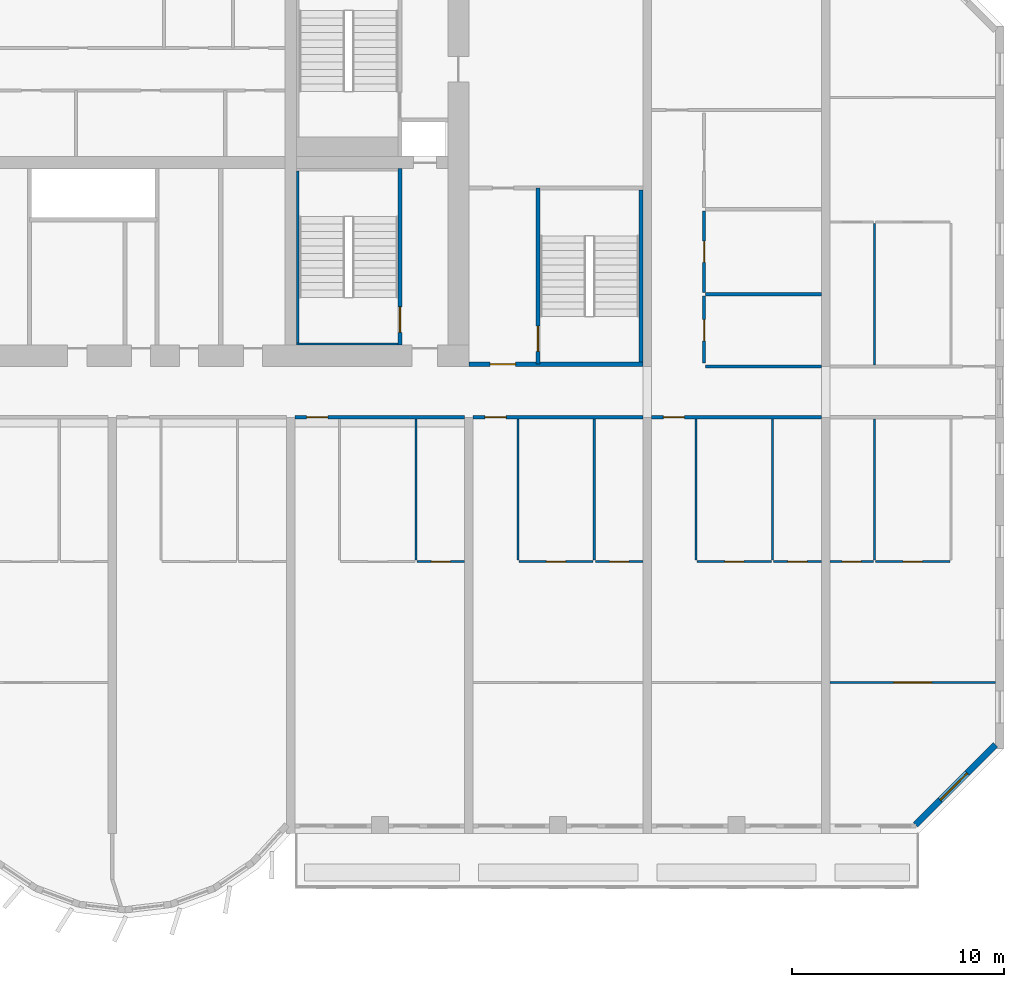
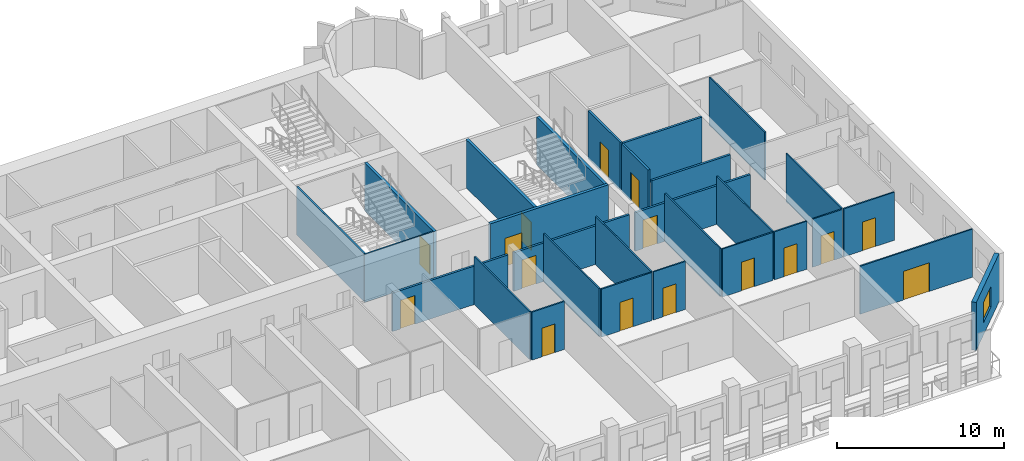
# One storey, part 9 of 15: 29 walls, 16 doors, 1 window, 17 openings.
"""IFC4 building model written with IfcOpenShell, lengths in metres."""

from ifc_helpers import new_model, si_unit, direction, frame, frame_2d, origin, place, context, subcontext, project, spatial, rectangle, extrude, source, transform, mapped, material, layer, layer_set, type_object, element, fill, save


model = new_model("IFC4")

# Units and contexts
model_context = context("Model", 3, precision=1e-05, world=origin(), true_north=direction((0.0, 1.0)))
body_context = subcontext(model_context, "Body", "Model", "MODEL_VIEW")
ifc_project = project(units=[si_unit("LENGTHUNIT", "METRE"), si_unit("AREAUNIT", "SQUARE_METRE"), si_unit("VOLUMEUNIT", "CUBIC_METRE"), si_unit("PLANEANGLEUNIT", "RADIAN"), si_unit("MASSUNIT", "GRAM", prefix="KILO")], contexts=[model_context])

# Site, building, storey
site_placement = place(None, origin())
site = spatial("IfcSite", under=ifc_project, at=site_placement, CompositionType="ELEMENT")
building_placement = place(site_placement, origin())
building = spatial("IfcBuilding", under=site, at=building_placement, Name="Vanashikhar Sky Hotel", CompositionType="ELEMENT")
storey_placement = place(building_placement, frame((0.0, 0.0, 65.800048828125)))
storey = spatial("IfcBuildingStorey", under=building, at=storey_placement, Name="L15", CompositionType="ELEMENT", Elevation=65.800048828125)

# Wall, opening, window
ifc_material_1 = material(Name="Concrete M50", Category="concrete")
ifc_layer_1 = layer(ifc_material_1, 0.300048828125)
ifc_layer_set_1 = layer_set([ifc_layer_1], Name="Lobe wall 300")
wall_type_1 = type_object("IfcWallType", Name="Lobe wall 300", PredefinedType="SOLIDWALL", material=ifc_layer_set_1)
shared_shape_1 = source(origin(), body_context, "Body", "SweptSolid", [
    extrude(rectangle(XDim=5.32568359375, YDim=0.300048828125, at=frame_2d((2.662841796875, 0.0))), origin(), (0.0, 0.0, 1.0), 3.52001953125),
])
wall_1_placement = place(storey_placement, frame((96.63427734375, 0.39990234375, 0.0), z_axis=(0.0, 0.0, 1.0), x_axis=(0.707083859269, 0.707129702361, 0.0)))
wall_1 = element("IfcWall", 1, at=wall_1_placement, inside=storey, type_object=wall_type_1, Name="Corner wall", PredefinedType="SOLIDWALL", context=body_context, shape_type="MappedRepresentation", body=[
    mapped(shared_shape_1, transform((0.0, 0.0, 0.0), scale=1.0)),
])
shared_shape_2 = source(origin(), body_context, "Body", "SweptSolid", [
    extrude(rectangle(XDim=1.800048828125, YDim=1.5, at=frame_2d((0.89990234375, 0.75))), frame((0.0, 0.16015625, 0.0), z_axis=(0.0, -1.0, 0.0), x_axis=(1.0, 0.0, 0.0)), (0.0, 0.0, 1.0), 0.320068359375),
])
opening_1_placement = place(wall_1_placement, frame((1.654296875, 0.0, 0.89990234375)))
opening_1 = element("IfcOpeningElement", 2, at=opening_1_placement, cuts=wall_1, Name="Opening WN-4", PredefinedType="OPENING", context=body_context, shape_type="MappedRepresentation", body=[
    mapped(shared_shape_2, transform((0.0, 0.0, 0.0), scale=1.0)),
])
ifc_material_2 = material(Name="Glass", Category="glass")
window_type = type_object("IfcWindowType", Name="Corner window 1800 x 1500", PartitioningType="SINGLE_PANEL", PredefinedType="WINDOW", material=ifc_material_2)
shared_shape_3 = source(origin(), body_context, "Body", "SweptSolid", [
    extrude(rectangle(XDim=1.800048828125, YDim=1.5, at=frame_2d((0.89990234375, 0.75))), frame((0.0, 0.030029296875, 0.0), z_axis=(0.0, -1.0, 0.0), x_axis=(1.0, 0.0, 0.0)), (0.0, 0.0, 1.0), 0.06005859375),
])
window_placement = place(opening_1_placement, origin())
window = element("IfcWindow", 3, at=window_placement, inside=storey, type_object=window_type, Name="Window WN-4", OverallHeight=1.5, OverallWidth=1.800048828125, PartitioningType="SINGLE_PANEL", PredefinedType="WINDOW", context=body_context, shape_type="MappedRepresentation", body=[
    mapped(shared_shape_3, transform((0.0, 0.0, 0.0), scale=1.0)),
])
fill(opening_1, window)

# Wall, opening, door
ifc_layer_2 = layer(ifc_material_1, 0.199951171875)
ifc_layer_set_2 = layer_set([ifc_layer_2], Name="Stair wall 200")
wall_type_2 = type_object("IfcWallType", Name="Stair wall 200", PredefinedType="SOLIDWALL", material=ifc_layer_set_2)
shared_shape_4 = source(origin(), body_context, "Body", "SweptSolid", [
    extrude(rectangle(XDim=8.199951171875, YDim=0.199951171875, at=frame_2d((4.10009765625, 0.0))), origin(), (0.0, 0.0, 1.0), 3.52001953125),
])
wall_2_placement = place(storey_placement, frame((83.800048828125, 22.10009765625, 0.0), z_axis=(0.0, 0.0, 1.0), x_axis=(-1.0, 0.0, 0.0)))
wall_2 = element("IfcWall", 4, at=wall_2_placement, inside=storey, type_object=wall_type_2, Name="Stair wall 200", PredefinedType="SOLIDWALL", context=body_context, shape_type="MappedRepresentation", body=[
    mapped(shared_shape_4, transform((0.0, 0.0, 0.0), scale=1.0)),
])
shared_shape_5 = source(origin(), body_context, "Body", "SweptSolid", [
    extrude(rectangle(XDim=1.199951171875, YDim=2.10009765625, at=frame_2d((0.60009765625, 1.050048828125))), frame((0.0, 0.10986328125, 0.0), z_axis=(0.0, -1.0, 0.0), x_axis=(1.0, 0.0, 0.0)), (0.0, 0.0, 1.0), 0.219970703125),
])
opening_2_placement = place(wall_2_placement, frame((6.0, 0.0, 0.0)))
opening_2 = element("IfcOpeningElement", 5, at=opening_2_placement, cuts=wall_2, Name="Opening DC-2", PredefinedType="OPENING", context=body_context, shape_type="MappedRepresentation", body=[
    mapped(shared_shape_5, transform((0.0, 0.0, 0.0), scale=1.0)),
])
ifc_material_3 = material(Name="Steel", Category="steel")
door_type_1 = type_object("IfcDoorType", Name="Firefighting lobby door 1200 FD120", OperationType="NOTDEFINED", PredefinedType="DOOR", material=ifc_material_3)
shared_shape_6 = source(origin(), body_context, "Body", "SweptSolid", [
    extrude(rectangle(XDim=1.199951171875, YDim=2.10009765625, at=frame_2d((0.60009765625, 1.050048828125))), frame((0.0, 0.02490234375, 0.0), z_axis=(0.0, -1.0, 0.0), x_axis=(1.0, 0.0, 0.0)), (0.0, 0.0, 1.0), 0.050048828125),
])
door_1_placement = place(opening_2_placement, origin())
door_1 = element("IfcDoor", 6, at=door_1_placement, inside=storey, type_object=door_type_1, Name="Firefighting lobby door 1200 FD120", OperationType="SINGLE_SWING_RIGHT", OverallHeight=2.10009765625, OverallWidth=1.199951171875, PredefinedType="DOOR", context=body_context, shape_type="MappedRepresentation", body=[
    mapped(shared_shape_6, transform((0.0, 0.0, 0.0), scale=1.0)),
])
fill(opening_2, door_1)

shared_shape_7 = source(origin(), body_context, "Body", "SweptSolid", [
    extrude(rectangle(XDim=8.2998046875, YDim=0.199951171875, at=frame_2d((4.14990234375, 0.0))), origin(), (0.0, 0.0, 1.0), 3.52001953125),
])
wall_3_placement = place(storey_placement, frame((78.85009765625, 22.10009765625, 0.0), z_axis=(0.0, 0.0, 1.0), x_axis=(0.0, 1.0, 0.0)))
wall_3 = element("IfcWall", 7, at=wall_3_placement, inside=storey, type_object=wall_type_2, Name="Stair wall 200", PredefinedType="SOLIDWALL", context=body_context, shape_type="MappedRepresentation", body=[
    mapped(shared_shape_7, transform((0.0, 0.0, 0.0), scale=1.0)),
])
opening_3_placement = place(wall_3_placement, frame((0.60009765625, 0.0, 0.0)))
opening_3 = element("IfcOpeningElement", 8, at=opening_3_placement, cuts=wall_3, Name="Opening DC-1", PredefinedType="OPENING", context=body_context, shape_type="MappedRepresentation", body=[
    mapped(shared_shape_5, transform((0.0, 0.0, 0.0), scale=1.0)),
])
door_type_2 = type_object("IfcDoorType", Name="Stair door 1200 FD120", OperationType="NOTDEFINED", PredefinedType="DOOR", material=ifc_material_3)
door_2_placement = place(opening_3_placement, origin())
door_2 = element("IfcDoor", 9, at=door_2_placement, inside=storey, type_object=door_type_2, Name="Stair door 1200 FD120", OperationType="SINGLE_SWING_LEFT", OverallHeight=2.10009765625, OverallWidth=1.199951171875, PredefinedType="DOOR", context=body_context, shape_type="MappedRepresentation", body=[
    mapped(shared_shape_6, transform((0.0, 0.0, 0.0), scale=1.0)),
])
fill(opening_3, door_2)

shared_shape_8 = source(origin(), body_context, "Body", "SweptSolid", [
    extrude(rectangle(XDim=8.324951171875, YDim=0.199951171875, at=frame_2d((4.16259765625, 0.0))), origin(), (0.0, 0.0, 1.0), 3.52001953125),
])
wall_4_placement = place(storey_placement, frame((72.35009765625, 23.0, 0.0), z_axis=(0.0, 0.0, 1.0), x_axis=(0.0, 1.0, 0.0)))
wall_4 = element("IfcWall", 10, at=wall_4_placement, inside=storey, type_object=wall_type_2, Name="Stair wall 200", PredefinedType="SOLIDWALL", context=body_context, shape_type="MappedRepresentation", body=[
    mapped(shared_shape_8, transform((0.0, 0.0, 0.0), scale=1.0)),
])
opening_4_placement = place(wall_4_placement, frame((0.60009765625, 0.0, 0.0)))
opening_4 = element("IfcOpeningElement", 11, at=opening_4_placement, cuts=wall_4, Name="Opening DC-1", PredefinedType="OPENING", context=body_context, shape_type="MappedRepresentation", body=[
    mapped(shared_shape_5, transform((0.0, 0.0, 0.0), scale=1.0)),
])
door_3_placement = place(opening_4_placement, origin())
door_3 = element("IfcDoor", 12, at=door_3_placement, inside=storey, type_object=door_type_2, Name="Stair door 1200 FD120", OperationType="SINGLE_SWING_RIGHT", OverallHeight=2.10009765625, OverallWidth=1.199951171875, PredefinedType="DOOR", context=body_context, shape_type="MappedRepresentation", body=[
    mapped(shared_shape_6, transform((0.0, 0.0, 0.0), scale=1.0)),
])
fill(opening_4, door_3)

# Walls
ifc_layer_3 = layer(ifc_material_1, 0.10009765625)
ifc_layer_set_3 = layer_set([ifc_layer_3], Name="Stair infill wall 100")
wall_type_3 = type_object("IfcWallType", Name="Stair infill wall 100", PredefinedType="SOLIDWALL", material=ifc_layer_set_3)
shared_shape_9 = source(origin(), body_context, "Body", "SweptSolid", [
    extrude(rectangle(XDim=4.77490234375, YDim=0.10009765625, at=frame_2d((2.387451171875, 0.0))), origin(), (0.0, 0.0, 1.0), 3.52001953125),
])
wall_5_placement = place(storey_placement, frame((67.47509765625, 23.050048828125, 0.0), z_axis=(0.0, 0.0, 1.0), x_axis=(1.0, 0.0, 0.0)))
element("IfcWall", 13, at=wall_5_placement, inside=storey, type_object=wall_type_3, Name="Stair infill wall 100", PredefinedType="SOLIDWALL", context=body_context, shape_type="MappedRepresentation", body=[
    mapped(shared_shape_9, transform((0.0, 0.0, 0.0), scale=1.0)),
])
ifc_layer_4 = layer(ifc_material_1, 0.125)
ifc_layer_set_4 = layer_set([ifc_layer_4], Name="Stair infill wall 125")
wall_type_4 = type_object("IfcWallType", Name="Stair infill wall 125", PredefinedType="SOLIDWALL", material=ifc_layer_set_4)
shared_shape_10 = source(origin(), body_context, "Body", "SweptSolid", [
    extrude(rectangle(XDim=8.099853515625, YDim=0.125, at=frame_2d((4.0498046875, 0.0))), origin(), (0.0, 0.0, 1.0), 3.52001953125),
])
wall_6_placement = place(storey_placement, frame((67.537109375, 23.10009765625, 0.0), z_axis=(0.0, 0.0, 1.0), x_axis=(0.0, 1.0, 0.0)))
element("IfcWall", 14, at=wall_6_placement, inside=storey, type_object=wall_type_4, Name="Stair infill wall 125", PredefinedType="SOLIDWALL", context=body_context, shape_type="MappedRepresentation", body=[
    mapped(shared_shape_10, transform((0.0, 0.0, 0.0), scale=1.0)),
])
ifc_layer_5 = layer(ifc_material_1, 0.199951171875)
ifc_layer_set_5 = layer_set([ifc_layer_5], Name="Stair infill wall 200")
wall_type_5 = type_object("IfcWallType", Name="Stair infill wall 200", PredefinedType="SOLIDWALL", material=ifc_layer_set_5)
shared_shape_11 = source(origin(), body_context, "Body", "SweptSolid", [
    extrude(rectangle(XDim=8.10009765625, YDim=0.199951171875, at=frame_2d((4.050048828125, 0.0))), origin(), (0.0, 0.0, 1.0), 3.52001953125),
])
wall_7_placement = place(storey_placement, frame((83.699951171875, 22.199951171875, 0.0), z_axis=(0.0, 0.0, 1.0), x_axis=(0.0, 1.0, 0.0)))
element("IfcWall", 15, at=wall_7_placement, inside=storey, type_object=wall_type_5, Name="Stair infill wall 200", PredefinedType="SOLIDWALL", context=body_context, shape_type="MappedRepresentation", body=[
    mapped(shared_shape_11, transform((0.0, 0.0, 0.0), scale=1.0)),
])

# Wall, opening, door
ifc_material_4 = material(Name="Gypsum plasterboard partition")
ifc_layer_6 = layer(ifc_material_4, 0.10009765625)
ifc_layer_set_6 = layer_set([ifc_layer_6], Name="Wet room partition 100")
wall_type_6 = type_object("IfcWallType", Name="Wet room partition 100", PredefinedType="PARTITIONING", material=ifc_layer_set_6)
shared_shape_12 = source(origin(), body_context, "Body", "SweptSolid", [
    extrude(rectangle(XDim=2.0498046875, YDim=0.10009765625, at=frame_2d((1.02490234375, 0.0))), origin(), (0.0, 0.0, 1.0), 3.52001953125),
])
wall_8_placement = place(storey_placement, frame((92.60009765625, 12.800048828125, 0.0), z_axis=(0.0, 0.0, 1.0), x_axis=(1.0, 0.0, 0.0)))
wall_8 = element("IfcWall", 16, at=wall_8_placement, inside=storey, type_object=wall_type_6, Name="W-L15-PW065", PredefinedType="PARTITIONING", context=body_context, shape_type="MappedRepresentation", body=[
    mapped(shared_shape_12, transform((0.0, 0.0, 0.0), scale=1.0)),
])
shared_shape_13 = source(origin(), body_context, "Body", "SweptSolid", [
    extrude(rectangle(XDim=0.89990234375, YDim=2.10009765625, at=frame_2d((0.449951171875, 1.050048828125))), frame((0.0, 0.06005859375, 0.0), z_axis=(0.0, -1.0, 0.0), x_axis=(1.0, 0.0, 0.0)), (0.0, 0.0, 1.0), 0.1201171875),
])
opening_5_placement = place(wall_8_placement, frame((0.574951171875, 0.0, 0.0)))
opening_5 = element("IfcOpeningElement", 17, at=opening_5_placement, cuts=wall_8, Name="Opening D-02", PredefinedType="OPENING", context=body_context, shape_type="MappedRepresentation", body=[
    mapped(shared_shape_13, transform((0.0, 0.0, 0.0), scale=1.0)),
])
ifc_material_5 = material(Name="Timber door", Category="wood")
door_type_3 = type_object("IfcDoorType", Name="Internal door 900", OperationType="NOTDEFINED", PredefinedType="DOOR", material=ifc_material_5)
shared_shape_14 = source(origin(), body_context, "Body", "SweptSolid", [
    extrude(rectangle(XDim=0.89990234375, YDim=2.10009765625, at=frame_2d((0.449951171875, 1.050048828125))), frame((0.0, 0.02490234375, 0.0), z_axis=(0.0, -1.0, 0.0), x_axis=(1.0, 0.0, 0.0)), (0.0, 0.0, 1.0), 0.050048828125),
])
door_4_placement = place(opening_5_placement, origin())
door_4 = element("IfcDoor", 18, at=door_4_placement, inside=storey, type_object=door_type_3, Name="D-L15-040", OperationType="SINGLE_SWING_RIGHT", OverallHeight=2.10009765625, OverallWidth=0.89990234375, PredefinedType="DOOR", context=body_context, shape_type="MappedRepresentation", body=[
    mapped(shared_shape_14, transform((0.0, 0.0, 0.0), scale=1.0)),
])
fill(opening_5, door_4)

shared_shape_15 = source(origin(), body_context, "Body", "SweptSolid", [
    extrude(rectangle(XDim=3.5, YDim=0.10009765625, at=frame_2d((1.75, 0.0))), origin(), (0.0, 0.0, 1.0), 3.52001953125),
])
wall_9_placement = place(storey_placement, frame((77.949951171875, 12.800048828125, 0.0), z_axis=(0.0, 0.0, 1.0), x_axis=(1.0, 0.0, 0.0)))
wall_9 = element("IfcWall", 19, at=wall_9_placement, inside=storey, type_object=wall_type_6, Name="W-L15-PW052", PredefinedType="PARTITIONING", context=body_context, shape_type="MappedRepresentation", body=[
    mapped(shared_shape_15, transform((0.0, 0.0, 0.0), scale=1.0)),
])
opening_6_placement = place(wall_9_placement, frame((1.300048828125, 0.0, 0.0)))
opening_6 = element("IfcOpeningElement", 20, at=opening_6_placement, cuts=wall_9, Name="Opening D-02", PredefinedType="OPENING", context=body_context, shape_type="MappedRepresentation", body=[
    mapped(shared_shape_13, transform((0.0, 0.0, 0.0), scale=1.0)),
])
door_5_placement = place(opening_6_placement, origin())
door_5 = element("IfcDoor", 21, at=door_5_placement, inside=storey, type_object=door_type_3, Name="D-L15-031", OperationType="SINGLE_SWING_LEFT", OverallHeight=2.10009765625, OverallWidth=0.89990234375, PredefinedType="DOOR", context=body_context, shape_type="MappedRepresentation", body=[
    mapped(shared_shape_14, transform((0.0, 0.0, 0.0), scale=1.0)),
])
fill(opening_6, door_5)

wall_10_placement = place(storey_placement, frame((86.35009765625, 12.800048828125, 0.0), z_axis=(0.0, 0.0, 1.0), x_axis=(1.0, 0.0, 0.0)))
wall_10 = element("IfcWall", 22, at=wall_10_placement, inside=storey, type_object=wall_type_6, Name="W-L15-PW058", PredefinedType="PARTITIONING", context=body_context, shape_type="MappedRepresentation", body=[
    mapped(shared_shape_15, transform((0.0, 0.0, 0.0), scale=1.0)),
])
opening_7_placement = place(wall_10_placement, frame((1.300048828125, 0.0, 0.0)))
opening_7 = element("IfcOpeningElement", 23, at=opening_7_placement, cuts=wall_10, Name="Opening D-02", PredefinedType="OPENING", context=body_context, shape_type="MappedRepresentation", body=[
    mapped(shared_shape_13, transform((0.0, 0.0, 0.0), scale=1.0)),
])
door_6_placement = place(opening_7_placement, origin())
door_6 = element("IfcDoor", 24, at=door_6_placement, inside=storey, type_object=door_type_3, Name="D-L15-035", OperationType="SINGLE_SWING_LEFT", OverallHeight=2.10009765625, OverallWidth=0.89990234375, PredefinedType="DOOR", context=body_context, shape_type="MappedRepresentation", body=[
    mapped(shared_shape_14, transform((0.0, 0.0, 0.0), scale=1.0)),
])
fill(opening_7, door_6)

wall_11_placement = place(storey_placement, frame((94.75, 12.800048828125, 0.0), z_axis=(0.0, 0.0, 1.0), x_axis=(1.0, 0.0, 0.0)))
wall_11 = element("IfcWall", 25, at=wall_11_placement, inside=storey, type_object=wall_type_6, Name="W-L15-PW064", PredefinedType="PARTITIONING", context=body_context, shape_type="MappedRepresentation", body=[
    mapped(shared_shape_15, transform((0.0, 0.0, 0.0), scale=1.0)),
])
opening_8_placement = place(wall_11_placement, frame((1.300048828125, 0.0, 0.0)))
opening_8 = element("IfcOpeningElement", 26, at=opening_8_placement, cuts=wall_11, Name="Opening D-02", PredefinedType="OPENING", context=body_context, shape_type="MappedRepresentation", body=[
    mapped(shared_shape_13, transform((0.0, 0.0, 0.0), scale=1.0)),
])
door_7_placement = place(opening_8_placement, origin())
door_7 = element("IfcDoor", 27, at=door_7_placement, inside=storey, type_object=door_type_3, Name="D-L15-039", OperationType="SINGLE_SWING_RIGHT", OverallHeight=2.10009765625, OverallWidth=0.89990234375, PredefinedType="DOOR", context=body_context, shape_type="MappedRepresentation", body=[
    mapped(shared_shape_14, transform((0.0, 0.0, 0.0), scale=1.0)),
])
fill(opening_8, door_7)

ifc_layer_7 = layer(ifc_material_4, 0.14990234375)
ifc_layer_set_7 = layer_set([ifc_layer_7], Name="Corridor and demising partition 150")
wall_type_7 = type_object("IfcWallType", Name="Corridor and demising partition 150", PredefinedType="PARTITIONING", material=ifc_layer_set_7)
shared_shape_16 = source(origin(), body_context, "Body", "SweptSolid", [
    extrude(rectangle(XDim=3.175048828125, YDim=0.14990234375, at=frame_2d((1.58740234375, 0.0))), origin(), (0.0, 0.0, 1.0), 3.52001953125),
])
wall_12_placement = place(storey_placement, frame((86.675048828125, 22.14990234375, 0.0), z_axis=(0.0, 0.0, 1.0), x_axis=(0.0, 1.0, 0.0)))
wall_12 = element("IfcWall", 28, at=wall_12_placement, inside=storey, type_object=wall_type_7, Name="W-L15-PW084", PredefinedType="PARTITIONING", context=body_context, shape_type="MappedRepresentation", body=[
    mapped(shared_shape_16, transform((0.0, 0.0, 0.0), scale=1.0)),
])
shared_shape_17 = source(origin(), body_context, "Body", "SweptSolid", [
    extrude(rectangle(XDim=1.0, YDim=2.10009765625, at=frame_2d((0.5, 1.050048828125))), frame((0.0, 0.0849609375, 0.0), z_axis=(0.0, -1.0, 0.0), x_axis=(1.0, 0.0, 0.0)), (0.0, 0.0, 1.0), 0.169921875),
])
opening_9_placement = place(wall_12_placement, frame((1.050048828125, 0.0, 0.0)))
opening_9 = element("IfcOpeningElement", 29, at=opening_9_placement, cuts=wall_12, Name="Opening D-01", PredefinedType="OPENING", context=body_context, shape_type="MappedRepresentation", body=[
    mapped(shared_shape_17, transform((0.0, 0.0, 0.0), scale=1.0)),
])
ifc_material_6 = material(Name="Timber fire door", Category="wood")
door_type_4 = type_object("IfcDoorType", Name="Guest entry door 1000 FD30S", OperationType="NOTDEFINED", PredefinedType="DOOR", material=ifc_material_6)
shared_shape_18 = source(origin(), body_context, "Body", "SweptSolid", [
    extrude(rectangle(XDim=1.0, YDim=2.10009765625, at=frame_2d((0.5, 1.050048828125))), frame((0.0, 0.02490234375, 0.0), z_axis=(0.0, -1.0, 0.0), x_axis=(1.0, 0.0, 0.0)), (0.0, 0.0, 1.0), 0.050048828125),
])
door_8_placement = place(opening_9_placement, origin())
door_8 = element("IfcDoor", 30, at=door_8_placement, inside=storey, type_object=door_type_4, Name="D-L15-051", OperationType="SINGLE_SWING_LEFT", OverallHeight=2.10009765625, OverallWidth=1.0, PredefinedType="DOOR", context=body_context, shape_type="MappedRepresentation", body=[
    mapped(shared_shape_18, transform((0.0, 0.0, 0.0), scale=1.0)),
])
fill(opening_9, door_8)

shared_shape_19 = source(origin(), body_context, "Body", "SweptSolid", [
    extrude(rectangle(XDim=3.849853515625, YDim=0.14990234375, at=frame_2d((1.9248046875, 0.0))), origin(), (0.0, 0.0, 1.0), 3.52001953125),
])
wall_13_placement = place(storey_placement, frame((86.675048828125, 25.47509765625, 0.0), z_axis=(0.0, 0.0, 1.0), x_axis=(0.0, 1.0, 0.0)))
wall_13 = element("IfcWall", 31, at=wall_13_placement, inside=storey, type_object=wall_type_7, Name="W-L15-PW086", PredefinedType="PARTITIONING", context=body_context, shape_type="MappedRepresentation", body=[
    mapped(shared_shape_19, transform((0.0, 0.0, 0.0), scale=1.0)),
])
opening_10_placement = place(wall_13_placement, frame((1.425048828125, 0.0, 0.0)))
opening_10 = element("IfcOpeningElement", 32, at=opening_10_placement, cuts=wall_13, Name="Opening D-01", PredefinedType="OPENING", context=body_context, shape_type="MappedRepresentation", body=[
    mapped(shared_shape_17, transform((0.0, 0.0, 0.0), scale=1.0)),
])
door_9_placement = place(opening_10_placement, origin())
door_9 = element("IfcDoor", 33, at=door_9_placement, inside=storey, type_object=door_type_4, Name="D-L15-052", OperationType="SINGLE_SWING_LEFT", OverallHeight=2.10009765625, OverallWidth=1.0, PredefinedType="DOOR", context=body_context, shape_type="MappedRepresentation", body=[
    mapped(shared_shape_18, transform((0.0, 0.0, 0.0), scale=1.0)),
])
fill(opening_10, door_9)

shared_shape_20 = source(origin(), body_context, "Body", "SweptSolid", [
    extrude(rectangle(XDim=8.0, YDim=0.14990234375, at=frame_2d((4.0, 0.0))), origin(), (0.0, 0.0, 1.0), 2.820068359375),
])
wall_14_placement = place(storey_placement, frame((67.39990234375, 19.60009765625, 0.0), z_axis=(0.0, 0.0, 1.0), x_axis=(1.0, 0.0, 0.0)))
wall_14 = element("IfcWall", 34, at=wall_14_placement, inside=storey, type_object=wall_type_7, Name="W-L15-PW049", PredefinedType="PARTITIONING", context=body_context, shape_type="MappedRepresentation", body=[
    mapped(shared_shape_20, transform((0.0, 0.0, 0.0), scale=1.0)),
])
opening_11_placement = place(wall_14_placement, frame((0.550048828125, 0.0, 0.0)))
opening_11 = element("IfcOpeningElement", 35, at=opening_11_placement, cuts=wall_14, Name="Opening D-01", PredefinedType="OPENING", context=body_context, shape_type="MappedRepresentation", body=[
    mapped(shared_shape_17, transform((0.0, 0.0, 0.0), scale=1.0)),
])
door_10_placement = place(opening_11_placement, origin())
door_10 = element("IfcDoor", 36, at=door_10_placement, inside=storey, type_object=door_type_4, Name="D-L15-030", OperationType="SINGLE_SWING_LEFT", OverallHeight=2.10009765625, OverallWidth=1.0, PredefinedType="DOOR", context=body_context, shape_type="MappedRepresentation", body=[
    mapped(shared_shape_18, transform((0.0, 0.0, 0.0), scale=1.0)),
])
fill(opening_11, door_10)

wall_15_placement = place(storey_placement, frame((75.800048828125, 19.60009765625, 0.0), z_axis=(0.0, 0.0, 1.0), x_axis=(1.0, 0.0, 0.0)))
wall_15 = element("IfcWall", 37, at=wall_15_placement, inside=storey, type_object=wall_type_7, Name="W-L15-PW055", PredefinedType="PARTITIONING", context=body_context, shape_type="MappedRepresentation", body=[
    mapped(shared_shape_20, transform((0.0, 0.0, 0.0), scale=1.0)),
])
opening_12_placement = place(wall_15_placement, frame((0.550048828125, 0.0, 0.0)))
opening_12 = element("IfcOpeningElement", 38, at=opening_12_placement, cuts=wall_15, Name="Opening D-01", PredefinedType="OPENING", context=body_context, shape_type="MappedRepresentation", body=[
    mapped(shared_shape_17, transform((0.0, 0.0, 0.0), scale=1.0)),
])
door_11_placement = place(opening_12_placement, origin())
door_11 = element("IfcDoor", 39, at=door_11_placement, inside=storey, type_object=door_type_4, Name="D-L15-034", OperationType="SINGLE_SWING_LEFT", OverallHeight=2.10009765625, OverallWidth=1.0, PredefinedType="DOOR", context=body_context, shape_type="MappedRepresentation", body=[
    mapped(shared_shape_18, transform((0.0, 0.0, 0.0), scale=1.0)),
])
fill(opening_12, door_11)

wall_16_placement = place(storey_placement, frame((84.199951171875, 19.60009765625, 0.0), z_axis=(0.0, 0.0, 1.0), x_axis=(1.0, 0.0, 0.0)))
wall_16 = element("IfcWall", 40, at=wall_16_placement, inside=storey, type_object=wall_type_7, Name="W-L15-PW061", PredefinedType="PARTITIONING", context=body_context, shape_type="MappedRepresentation", body=[
    mapped(shared_shape_20, transform((0.0, 0.0, 0.0), scale=1.0)),
])
opening_13_placement = place(wall_16_placement, frame((0.550048828125, 0.0, 0.0)))
opening_13 = element("IfcOpeningElement", 41, at=opening_13_placement, cuts=wall_16, Name="Opening D-01", PredefinedType="OPENING", context=body_context, shape_type="MappedRepresentation", body=[
    mapped(shared_shape_17, transform((0.0, 0.0, 0.0), scale=1.0)),
])
door_12_placement = place(opening_13_placement, origin())
door_12 = element("IfcDoor", 42, at=door_12_placement, inside=storey, type_object=door_type_4, Name="D-L15-038", OperationType="SINGLE_SWING_LEFT", OverallHeight=2.10009765625, OverallWidth=1.0, PredefinedType="DOOR", context=body_context, shape_type="MappedRepresentation", body=[
    mapped(shared_shape_18, transform((0.0, 0.0, 0.0), scale=1.0)),
])
fill(opening_13, door_12)

# Walls
shared_shape_21 = source(origin(), body_context, "Body", "SweptSolid", [
    extrude(rectangle(XDim=5.449951171875, YDim=0.14990234375, at=frame_2d((2.72509765625, 0.0))), origin(), (0.0, 0.0, 1.0), 2.820068359375),
])
wall_17_placement = place(storey_placement, frame((86.75, 22.0, 0.0), z_axis=(0.0, 0.0, 1.0), x_axis=(1.0, 0.0, 0.0)))
element("IfcWall", 43, at=wall_17_placement, inside=storey, type_object=wall_type_7, Name="W-L15-PW083", PredefinedType="PARTITIONING", context=body_context, shape_type="MappedRepresentation", body=[
    mapped(shared_shape_21, transform((0.0, 0.0, 0.0), scale=1.0)),
])
shared_shape_22 = source(origin(), body_context, "Body", "SweptSolid", [
    extrude(rectangle(XDim=5.449951171875, YDim=0.14990234375, at=frame_2d((2.72509765625, 0.0))), origin(), (0.0, 0.0, 1.0), 3.52001953125),
])
wall_18_placement = place(storey_placement, frame((86.75, 25.39990234375, 0.0), z_axis=(0.0, 0.0, 1.0), x_axis=(1.0, 0.0, 0.0)))
element("IfcWall", 44, at=wall_18_placement, inside=storey, type_object=wall_type_7, Name="W-L15-PW085", PredefinedType="PARTITIONING", context=body_context, shape_type="MappedRepresentation", body=[
    mapped(shared_shape_22, transform((0.0, 0.0, 0.0), scale=1.0)),
])
shared_shape_23 = source(origin(), body_context, "Body", "SweptSolid", [
    extrude(rectangle(XDim=6.64990234375, YDim=0.10009765625, at=frame_2d((3.324951171875, 0.0))), origin(), (0.0, 0.0, 1.0), 3.52001953125),
])
for number, where, z_axis, x_axis, name in (
    (45, (73.10009765625, 12.875, 0.0), (0.0, 0.0, 1.0), (0.0, 1.0, 0.0), "W-L15-PW046"),
    (46, (77.89990234375, 12.875, 0.0), (0.0, 0.0, 1.0), (0.0, 1.0, 0.0), "W-L15-PW050"),
    (47, (81.5, 12.875, 0.0), (0.0, 0.0, 1.0), (0.0, 1.0, 0.0), "W-L15-PW051"),
    (48, (86.300048828125, 12.875, 0.0), (0.0, 0.0, 1.0), (0.0, 1.0, 0.0), "W-L15-PW056"),
    (49, (89.89990234375, 12.875, 0.0), (0.0, 0.0, 1.0), (0.0, 1.0, 0.0), "W-L15-PW057"),
    (50, (94.699951171875, 12.875, 0.0), (0.0, 0.0, 1.0), (0.0, 1.0, 0.0), "W-L15-PW063"),
):
    element("IfcWall", number, at=place(storey_placement, frame(where, z_axis=z_axis, x_axis=x_axis)), inside=storey, type_object=wall_type_6, Name=name, PredefinedType="PARTITIONING", context=body_context, shape_type="MappedRepresentation", body=[
        mapped(shared_shape_23, transform((0.0, 0.0, 0.0), scale=1.0)),
    ])

# Wall, opening, door
shared_shape_24 = source(origin(), body_context, "Body", "SweptSolid", [
    extrude(rectangle(XDim=2.25, YDim=0.10009765625, at=frame_2d((1.125, 0.0))), origin(), (0.0, 0.0, 1.0), 3.52001953125),
])
wall_19_placement = place(storey_placement, frame((73.14990234375, 12.800048828125, 0.0), z_axis=(0.0, 0.0, 1.0), x_axis=(1.0, 0.0, 0.0)))
wall_19 = element("IfcWall", 51, at=wall_19_placement, inside=storey, type_object=wall_type_6, Name="W-L15-PW048", PredefinedType="PARTITIONING", context=body_context, shape_type="MappedRepresentation", body=[
    mapped(shared_shape_24, transform((0.0, 0.0, 0.0), scale=1.0)),
])
opening_14_placement = place(wall_19_placement, frame((0.675048828125, 0.0, 0.0)))
opening_14 = element("IfcOpeningElement", 52, at=opening_14_placement, cuts=wall_19, Name="Opening D-02", PredefinedType="OPENING", context=body_context, shape_type="MappedRepresentation", body=[
    mapped(shared_shape_13, transform((0.0, 0.0, 0.0), scale=1.0)),
])
door_13_placement = place(opening_14_placement, origin())
door_13 = element("IfcDoor", 53, at=door_13_placement, inside=storey, type_object=door_type_3, Name="D-L15-029", OperationType="SINGLE_SWING_LEFT", OverallHeight=2.10009765625, OverallWidth=0.89990234375, PredefinedType="DOOR", context=body_context, shape_type="MappedRepresentation", body=[
    mapped(shared_shape_14, transform((0.0, 0.0, 0.0), scale=1.0)),
])
fill(opening_14, door_13)

wall_20_placement = place(storey_placement, frame((81.550048828125, 12.800048828125, 0.0), z_axis=(0.0, 0.0, 1.0), x_axis=(1.0, 0.0, 0.0)))
wall_20 = element("IfcWall", 54, at=wall_20_placement, inside=storey, type_object=wall_type_6, Name="W-L15-PW053", PredefinedType="PARTITIONING", context=body_context, shape_type="MappedRepresentation", body=[
    mapped(shared_shape_24, transform((0.0, 0.0, 0.0), scale=1.0)),
])
opening_15_placement = place(wall_20_placement, frame((0.675048828125, 0.0, 0.0)))
opening_15 = element("IfcOpeningElement", 55, at=opening_15_placement, cuts=wall_20, Name="Opening D-02", PredefinedType="OPENING", context=body_context, shape_type="MappedRepresentation", body=[
    mapped(shared_shape_13, transform((0.0, 0.0, 0.0), scale=1.0)),
])
door_14_placement = place(opening_15_placement, origin())
door_14 = element("IfcDoor", 56, at=door_14_placement, inside=storey, type_object=door_type_3, Name="D-L15-032", OperationType="SINGLE_SWING_LEFT", OverallHeight=2.10009765625, OverallWidth=0.89990234375, PredefinedType="DOOR", context=body_context, shape_type="MappedRepresentation", body=[
    mapped(shared_shape_14, transform((0.0, 0.0, 0.0), scale=1.0)),
])
fill(opening_15, door_14)

wall_21_placement = place(storey_placement, frame((89.949951171875, 12.800048828125, 0.0), z_axis=(0.0, 0.0, 1.0), x_axis=(1.0, 0.0, 0.0)))
wall_21 = element("IfcWall", 57, at=wall_21_placement, inside=storey, type_object=wall_type_6, Name="W-L15-PW059", PredefinedType="PARTITIONING", context=body_context, shape_type="MappedRepresentation", body=[
    mapped(shared_shape_24, transform((0.0, 0.0, 0.0), scale=1.0)),
])
opening_16_placement = place(wall_21_placement, frame((0.675048828125, 0.0, 0.0)))
opening_16 = element("IfcOpeningElement", 58, at=opening_16_placement, cuts=wall_21, Name="Opening D-02", PredefinedType="OPENING", context=body_context, shape_type="MappedRepresentation", body=[
    mapped(shared_shape_13, transform((0.0, 0.0, 0.0), scale=1.0)),
])
door_15_placement = place(opening_16_placement, origin())
door_15 = element("IfcDoor", 59, at=door_15_placement, inside=storey, type_object=door_type_3, Name="D-L15-036", OperationType="SINGLE_SWING_LEFT", OverallHeight=2.10009765625, OverallWidth=0.89990234375, PredefinedType="DOOR", context=body_context, shape_type="MappedRepresentation", body=[
    mapped(shared_shape_14, transform((0.0, 0.0, 0.0), scale=1.0)),
])
fill(opening_16, door_15)

shared_shape_25 = source(origin(), body_context, "Body", "SweptSolid", [
    extrude(rectangle(XDim=7.7998046875, YDim=0.10009765625, at=frame_2d((3.89990234375, 0.0))), origin(), (0.0, 0.0, 1.0), 3.52001953125),
])
wall_22_placement = place(storey_placement, frame((92.60009765625, 7.10791015625, 0.0), z_axis=(0.0, 0.0, 1.0), x_axis=(1.0, 0.0, 0.0)))
wall_22 = element("IfcWall", 60, at=wall_22_placement, inside=storey, type_object=wall_type_6, Name="W-L15-PW066", PredefinedType="PARTITIONING", context=body_context, shape_type="MappedRepresentation", body=[
    mapped(shared_shape_25, transform((0.0, 0.0, 0.0), scale=1.0)),
])
shared_shape_26 = source(origin(), body_context, "Body", "SweptSolid", [
    extrude(rectangle(XDim=1.800048828125, YDim=2.10009765625, at=frame_2d((0.89990234375, 1.050048828125))), frame((0.0, 0.06005859375, 0.0), z_axis=(0.0, -1.0, 0.0), x_axis=(1.0, 0.0, 0.0)), (0.0, 0.0, 1.0), 0.1201171875),
])
opening_17_placement = place(wall_22_placement, frame((3.0, 0.0, 0.0)))
opening_17 = element("IfcOpeningElement", 61, at=opening_17_placement, cuts=wall_22, Name="Opening D-08", PredefinedType="OPENING", context=body_context, shape_type="MappedRepresentation", body=[
    mapped(shared_shape_26, transform((0.0, 0.0, 0.0), scale=1.0)),
])
door_type_5 = type_object("IfcDoorType", Name="Double leaf door 1800", OperationType="NOTDEFINED", PredefinedType="DOOR", material=ifc_material_5)
shared_shape_27 = source(origin(), body_context, "Body", "SweptSolid", [
    extrude(rectangle(XDim=1.800048828125, YDim=2.10009765625, at=frame_2d((0.89990234375, 1.050048828125))), frame((0.0, 0.02490234375, 0.0), z_axis=(0.0, -1.0, 0.0), x_axis=(1.0, 0.0, 0.0)), (0.0, 0.0, 1.0), 0.050048828125),
])
door_16_placement = place(opening_17_placement, origin())
door_16 = element("IfcDoor", 62, at=door_16_placement, inside=storey, type_object=door_type_5, Name="D-L15-041", OperationType="DOUBLE_DOOR_SINGLE_SWING", OverallHeight=2.10009765625, OverallWidth=1.800048828125, PredefinedType="DOOR", context=body_context, shape_type="MappedRepresentation", body=[
    mapped(shared_shape_27, transform((0.0, 0.0, 0.0), scale=1.0)),
])
fill(opening_17, door_16)

# Wall
shared_shape_28 = source(origin(), body_context, "Body", "SweptSolid", [
    extrude(rectangle(XDim=6.650146484375, YDim=0.10009765625, at=frame_2d((3.3251953125, 0.0))), origin(), (0.0, 0.0, 1.0), 3.52001953125),
])
wall_23_placement = place(storey_placement, frame((94.699951171875, 22.074951171875, 0.0), z_axis=(0.0, 0.0, 1.0), x_axis=(0.0, 1.0, 0.0)))
element("IfcWall", 63, at=wall_23_placement, inside=storey, type_object=wall_type_6, Name="W-L15-PW091", PredefinedType="PARTITIONING", context=body_context, shape_type="MappedRepresentation", body=[
    mapped(shared_shape_28, transform((0.0, 0.0, 0.0), scale=1.0)),
])

save(model, "model.ifc")
